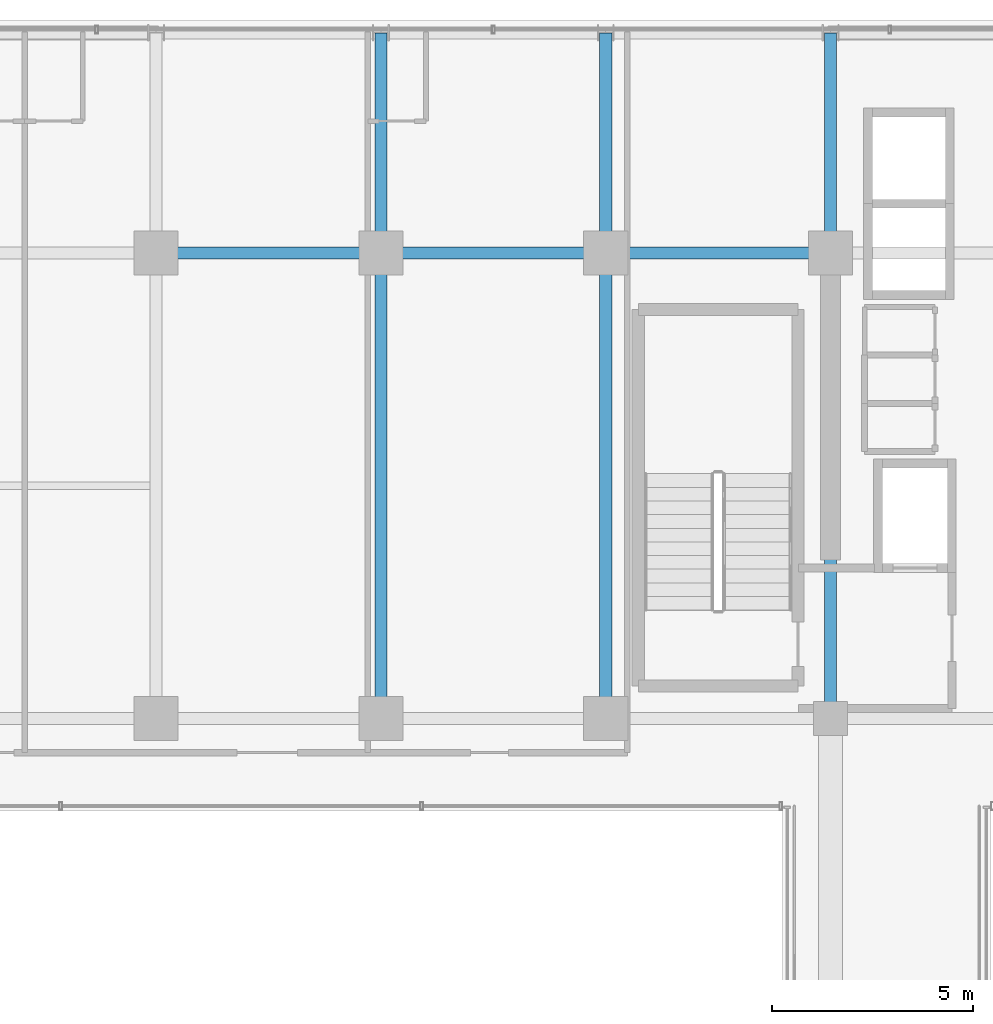
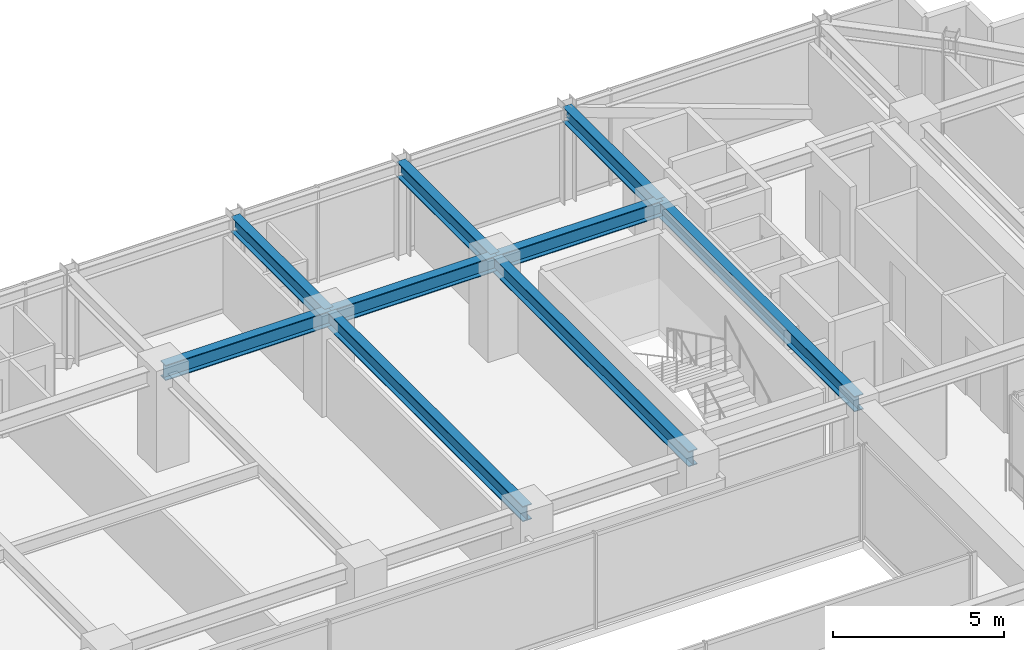
# One storey, part 22 of 38: 9 beams.
"""IFC4 building model written with IfcOpenShell, lengths in metres."""

from ifc_helpers import new_model, si_unit, direction, frame, origin, origin_2d, place, context, subcontext, project, spatial, i_section, extrude, source, transform, mapped, material, material_profile, profile_set, type_object, element, save


model = new_model("IFC4")

# Units and contexts
model_context = context("Model", 3, precision=1e-05, world=origin(), true_north=direction((0.0, 1.0)))
body_context = subcontext(model_context, "Body", "Model", "MODEL_VIEW")
ifc_project = project(units=[si_unit("LENGTHUNIT", "METRE"), si_unit("AREAUNIT", "SQUARE_METRE"), si_unit("VOLUMEUNIT", "CUBIC_METRE"), si_unit("PLANEANGLEUNIT", "RADIAN"), si_unit("MASSUNIT", "GRAM", prefix="KILO")], contexts=[model_context])

# Site, building, storey
site_placement = place(None, origin())
site = spatial("IfcSite", under=ifc_project, at=site_placement, CompositionType="ELEMENT")
building_placement = place(site_placement, origin())
building = spatial("IfcBuilding", under=site, at=building_placement, Name="Nahalor Promenade Grand Hotel", CompositionType="ELEMENT")
storey_placement = place(building_placement, frame((0.0, 0.0, 178.199951171875)))
storey = spatial("IfcBuildingStorey", under=building, at=storey_placement, Name="L45", CompositionType="ELEMENT", Elevation=178.199951171875)

# Beams
ifc_material = material(Name="Steel S355JR", Category="steel")
ifc_material_profile = material_profile(ifc_material, i_section(OverallWidth=0.3, OverallDepth=0.55, WebThickness=0.015, FlangeThickness=0.029, at=origin_2d()), Name="HEB 550")
ifc_profile_set = profile_set([ifc_material_profile], Name="Steel S355JR")
beam_type = type_object("IfcBeamType", Name="Beam-Girder-HEB550", PredefinedType="BEAM", material=ifc_profile_set)
shared_shape_1 = source(origin(), body_context, "Body", "SweptSolid", [
    extrude(i_section(OverallWidth=0.3, OverallDepth=0.55, WebThickness=0.015, FlangeThickness=0.029, at=origin_2d()), origin(), (0.0, 0.0, 1.0), 5.599853515625),
])
for number, where, z_axis, x_axis, name in (
    (1, (-8.39990234375, 17.0, 3.114990234375), (1.0, 0.0, 0.0), (0.0, 1.0, 0.0), "BM-L45-GX-3-2"),
    (2, (2.800048828125, 17.0, 3.114990234375), (1.0, 0.0, 0.0), (0.0, 1.0, 0.0), "BM-L45-GX-3-4"),
):
    element("IfcBeam", number, at=place(storey_placement, frame(where, z_axis=z_axis, x_axis=x_axis)), inside=storey, type_object=beam_type, Name=name, PredefinedType="BEAM", context=body_context, shape_type="MappedRepresentation", body=[
        mapped(shared_shape_1, transform((0.0, 0.0, 0.0), scale=1.0)),
    ])
shared_shape_2 = source(origin(), body_context, "Body", "SweptSolid", [
    extrude(i_section(OverallWidth=0.3, OverallDepth=0.55, WebThickness=0.015, FlangeThickness=0.029, at=origin_2d()), origin(), (0.0, 0.0, 1.0), 5.60009765625),
])
beam_placement = place(storey_placement, frame((-2.800048828125, 17.0, 3.114990234375), z_axis=(1.0, 0.0, 0.0), x_axis=(0.0, 1.0, 0.0)))
element("IfcBeam", 3, at=beam_placement, inside=storey, type_object=beam_type, Name="BM-L45-GX-3-3", PredefinedType="BEAM", context=body_context, shape_type="MappedRepresentation", body=[
    mapped(shared_shape_2, transform((0.0, 0.0, 0.0), scale=1.0)),
])
shared_shape_3 = source(origin(), body_context, "Body", "SweptSolid", [
    extrude(i_section(OverallWidth=0.3, OverallDepth=0.55, WebThickness=0.015, FlangeThickness=0.029, at=origin_2d()), origin(), (0.0, 0.0, 1.0), 11.60009765625),
])
for number, where, z_axis, x_axis, name in (
    (4, (-2.800048828125, 5.39990234375, 3.114990234375), (0.0, 1.0, 0.0), (-1.0, 0.0, 0.0), "BM-L45-GY-2-3"),
    (5, (2.800048828125, 5.39990234375, 3.114990234375), (0.0, 1.0, 0.0), (-1.0, 0.0, 0.0), "BM-L45-GY-3-3"),
    (6, (8.39990234375, 5.39990234375, 3.114990234375), (0.0, 1.0, 0.0), (-1.0, 0.0, 0.0), "BM-L45-GY-4-3"),
):
    element("IfcBeam", number, at=place(storey_placement, frame(where, z_axis=z_axis, x_axis=x_axis)), inside=storey, type_object=beam_type, Name=name, PredefinedType="BEAM", context=body_context, shape_type="MappedRepresentation", body=[
        mapped(shared_shape_3, transform((0.0, 0.0, 0.0), scale=1.0)),
    ])
shared_shape_4 = source(origin(), body_context, "Body", "SweptSolid", [
    extrude(i_section(OverallWidth=0.3, OverallDepth=0.55, WebThickness=0.015, FlangeThickness=0.029, at=origin_2d()), origin(), (0.0, 0.0, 1.0), 5.47998046875),
])
for number, where, z_axis, x_axis, name in (
    (7, (-2.800048828125, 17.0, 3.114990234375), (0.0, 1.0, 0.0), (-1.0, 0.0, 0.0), "BM-L45-GY-2-4"),
    (8, (2.800048828125, 17.0, 3.114990234375), (0.0, 1.0, 0.0), (-1.0, 0.0, 0.0), "BM-L45-GY-3-4"),
    (9, (8.39990234375, 17.0, 3.114990234375), (0.0, 1.0, 0.0), (-1.0, 0.0, 0.0), "BM-L45-GY-4-4"),
):
    element("IfcBeam", number, at=place(storey_placement, frame(where, z_axis=z_axis, x_axis=x_axis)), inside=storey, type_object=beam_type, Name=name, PredefinedType="BEAM", context=body_context, shape_type="MappedRepresentation", body=[
        mapped(shared_shape_4, transform((0.0, 0.0, 0.0), scale=1.0)),
    ])

save(model, "model.ifc")
